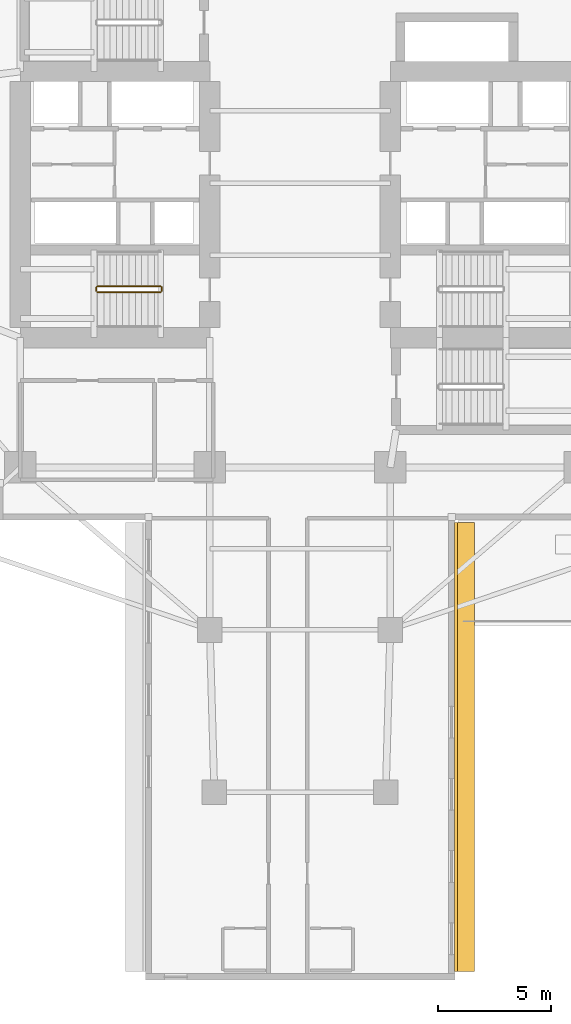
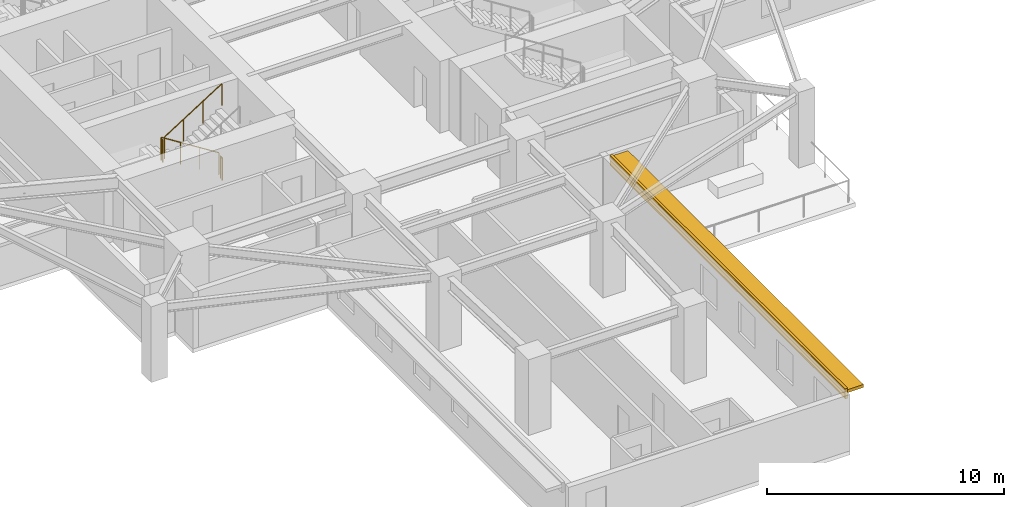
# One storey, part 10 of 13: 4 railings, 1 covering, 1 shading device.
"""IFC4 building model written with IfcOpenShell, lengths in metres."""

from ifc_helpers import new_model, si_unit, direction, frame, origin, origin_2d, place, context, subcontext, project, spatial, rectangle, circle, extrude, material, layer, layer_set, type_object, element, save


model = new_model("IFC4")

# Units and contexts
model_context = context("Model", 3, precision=1e-05, world=origin(), true_north=direction((0.0, 1.0)))
body_context = subcontext(model_context, "Body", "Model", "MODEL_VIEW")
ifc_project = project(units=[si_unit("LENGTHUNIT", "METRE"), si_unit("AREAUNIT", "SQUARE_METRE"), si_unit("VOLUMEUNIT", "CUBIC_METRE"), si_unit("PLANEANGLEUNIT", "RADIAN"), si_unit("MASSUNIT", "GRAM", prefix="KILO")], contexts=[model_context])

# Site, building, storey
site_placement = place(None, origin())
site = spatial("IfcSite", under=ifc_project, at=site_placement, CompositionType="ELEMENT")
building_placement = place(site_placement, origin())
building = spatial("IfcBuilding", under=site, at=building_placement, Name="Qingluan Cross Belvedere", CompositionType="ELEMENT")
storey_placement = place(building_placement, frame((0.0, 0.0, 63.89990234375)))
storey = spatial("IfcBuildingStorey", under=building, at=storey_placement, Name="L16", CompositionType="ELEMENT", Elevation=63.89990234375)

# Covering
ifc_material_1 = material(Name="Precast concrete C45", Category="concrete")
ifc_layer_1 = layer(ifc_material_1, 0.1201171875, Name="ConcreteSpandrelCladding_120")
ifc_layer_set_1 = layer_set([ifc_layer_1], Name="Precast concrete C45")
covering_type = type_object("IfcCoveringType", Name="ConcreteSpandrelCladding_120", PredefinedType="CLADDING", material=ifc_layer_set_1)
covering_placement = place(storey_placement, frame((6.909912109375, -24.989990234375, 2.4501953125), z_axis=(0.0, 0.0, 1.0), x_axis=(0.0, 1.0, 0.0)))
element("IfcCovering", 1, at=covering_placement, inside=storey, type_object=covering_type, Name="Spandrel cladding L16-SB", PredefinedType="CLADDING", context=body_context, shape_type="SweptSolid", body=[
    extrude(rectangle(XDim=19.89990234375, YDim=0.1201171875, at=origin_2d()), origin(), (0.0, 0.0, 1.0), 0.52001953125),
])

# Shading device
ifc_material_2 = material(Name="Precast concrete C45", Category="concrete")
ifc_layer_2 = layer(ifc_material_2, 0.159912109375, Name="ConcreteSunshadeBand_900")
ifc_layer_set_2 = layer_set([ifc_layer_2], Name="Precast concrete C45")
shading_device_type = type_object("IfcShadingDeviceType", Name="ConcreteSunshadeBand_900", PredefinedType="USERDEFINED", material=ifc_layer_set_2)
shading_device_placement = place(storey_placement, frame((7.2900390625, -24.989990234375, 2.72998046875), z_axis=(0.0, 0.0, 1.0), x_axis=(0.0, 1.0, 0.0)))
element("IfcShadingDevice", 2, at=shading_device_placement, inside=storey, type_object=shading_device_type, Name="Concrete SUNSHADE L16-SB", ObjectType="SUNSHADE", PredefinedType="USERDEFINED", context=body_context, shape_type="SweptSolid", body=[
    extrude(rectangle(XDim=19.89990234375, YDim=0.89990234375, at=origin_2d()), origin(), (0.0, 0.0, 1.0), 0.159912109375),
])

# Railings
ifc_material_3 = material(Name="Painted steel stair well guard", Category="steel")
railing_type = type_object("IfcRailingType", Name="StairWellGuard_1150", PredefinedType="BALUSTRADE", material=ifc_material_3)
railing_1_placement = place(storey_placement, frame((-6.179931640625, -4.570068359375, 0.177490234375)))
element("IfcRailing", 3, at=railing_1_placement, inside=storey, type_object=railing_type, Name="L16 ST1 stair guard 1", PredefinedType="BALUSTRADE", context=body_context, shape_type="SweptSolid", body=[
    extrude(circle(Radius=0.02392578125, at=origin_2d()), frame((0.0, 0.0, 1.1259765625), z_axis=(-0.844908973607, 0.0, 0.534910110503), x_axis=(0.0, -1.0, 0.0)), (0.0, 0.0, 1.0), 3.31396484375),
    extrude(circle(Radius=0.02099609375, at=origin_2d()), origin(), (0.0, 0.0, 1.0), 1.101806640625),
    extrude(circle(Radius=0.02099609375, at=origin_2d()), frame((-0.933349609375, 0.0, 0.5908203125)), (0.0, 0.0, 1.0), 1.101806640625),
    extrude(circle(Radius=0.02099609375, at=origin_2d()), frame((-1.86669921875, 0.0, 1.181884765625)), (0.0, 0.0, 1.0), 1.101806640625),
    extrude(circle(Radius=0.02099609375, at=origin_2d()), frame((-2.800048828125, 0.0, 1.772705078125)), (0.0, 0.0, 1.0), 1.101806640625),
])
railing_2_placement = place(storey_placement, frame((-9.030029296875, -4.6201171875, 1.9501953125)))
element("IfcRailing", 4, at=railing_2_placement, inside=storey, type_object=railing_type, Name="L16 ST1 stair guard 2", PredefinedType="BALUSTRADE", context=body_context, shape_type="SweptSolid", body=[
    extrude(circle(Radius=0.02392578125, at=origin_2d()), frame((0.0, 0.0, 1.1259765625), z_axis=(0.0, -1.0, 0.0), x_axis=(1.0, 0.0, 0.0)), (0.0, 0.0, 1.0), 0.159912109375),
    extrude(circle(Radius=0.02099609375, at=origin_2d()), origin(), (0.0, 0.0, 1.0), 1.101806640625),
    extrude(circle(Radius=0.02099609375, at=origin_2d()), frame((0.0, -0.159912109375, 0.0)), (0.0, 0.0, 1.0), 1.101806640625),
])
railing_3_placement = place(storey_placement, frame((-8.97998046875, -4.830078125, 2.12744140625)))
element("IfcRailing", 5, at=railing_3_placement, inside=storey, type_object=railing_type, Name="L16 ST1 stair guard 3", PredefinedType="BALUSTRADE", context=body_context, shape_type="SweptSolid", body=[
    extrude(circle(Radius=0.02392578125, at=origin_2d()), frame((0.0, 0.0, 1.1259765625), z_axis=(0.844908973607, 0.0, 0.534910110503), x_axis=(0.0, 1.0, 0.0)), (0.0, 0.0, 1.0), 3.31396484375),
    extrude(circle(Radius=0.02099609375, at=origin_2d()), origin(), (0.0, 0.0, 1.0), 1.101806640625),
    extrude(circle(Radius=0.02099609375, at=origin_2d()), frame((0.933349609375, 0.0, 0.5908203125)), (0.0, 0.0, 1.0), 1.101806640625),
    extrude(circle(Radius=0.02099609375, at=origin_2d()), frame((1.86669921875, 0.0, 1.181884765625)), (0.0, 0.0, 1.0), 1.101806640625),
    extrude(circle(Radius=0.02099609375, at=origin_2d()), frame((2.800048828125, 0.0, 1.772705078125)), (0.0, 0.0, 1.0), 1.101806640625),
])
railing_4_placement = place(storey_placement, frame((-6.1298828125, -4.6201171875, 0.0)))
element("IfcRailing", 6, at=railing_4_placement, inside=storey, type_object=railing_type, Name="L16 ST1 stair guard 4", PredefinedType="BALUSTRADE", context=body_context, shape_type="SweptSolid", body=[
    extrude(circle(Radius=0.02392578125, at=origin_2d()), frame((0.0, 0.0, 1.1259765625), z_axis=(0.0, -1.0, 0.0), x_axis=(1.0, 0.0, 0.0)), (0.0, 0.0, 1.0), 0.159912109375),
    extrude(circle(Radius=0.02099609375, at=origin_2d()), origin(), (0.0, 0.0, 1.0), 1.101806640625),
    extrude(circle(Radius=0.02099609375, at=origin_2d()), frame((0.0, -0.159912109375, 0.0)), (0.0, 0.0, 1.0), 1.101806640625),
])

save(model, "model.ifc")
